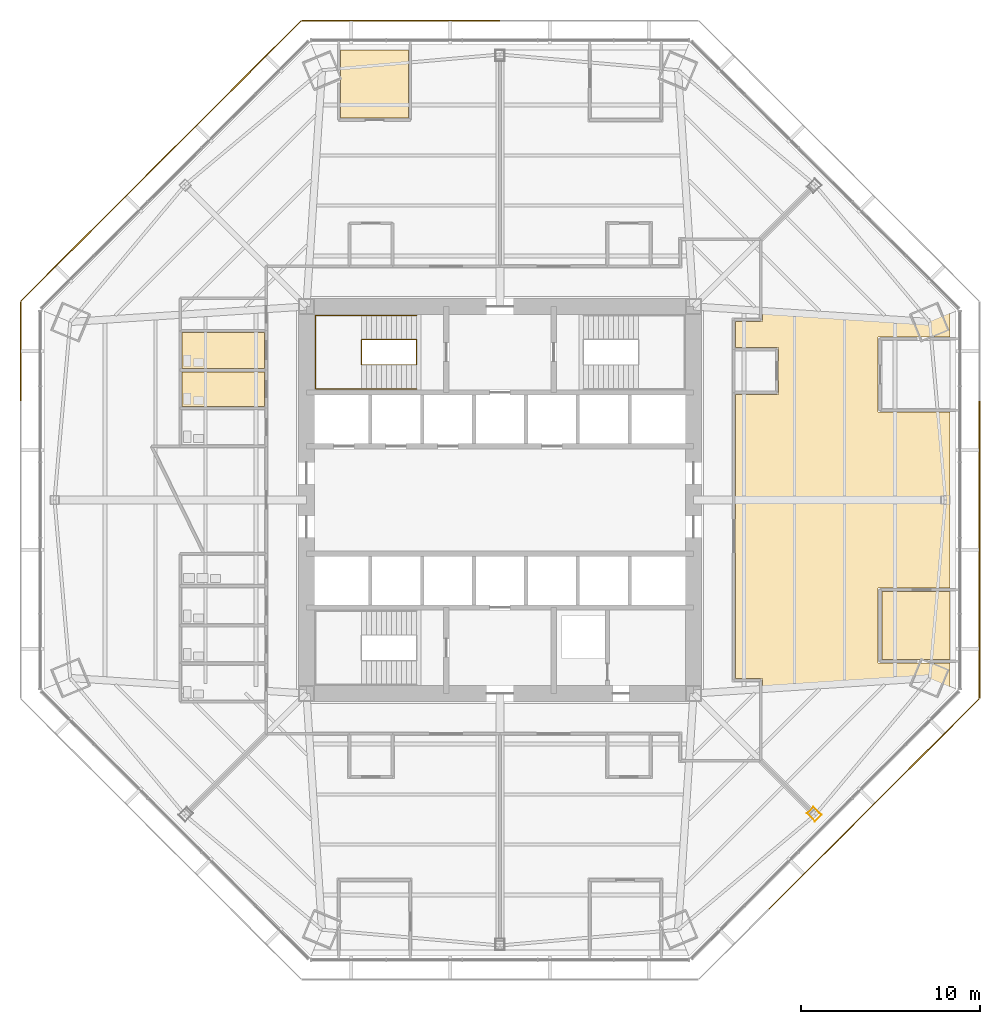
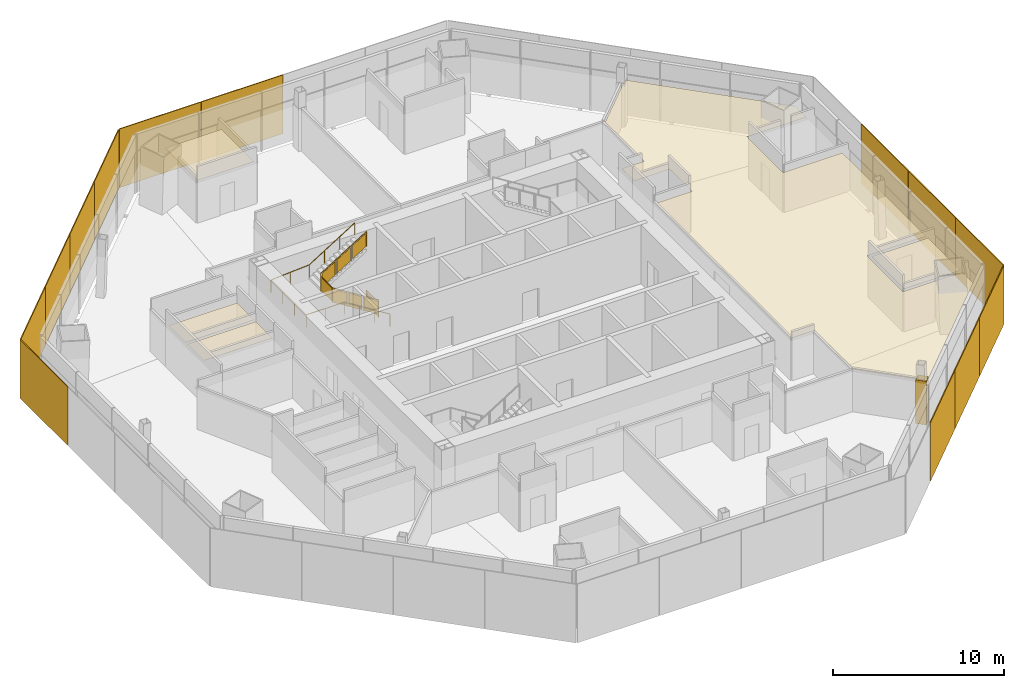
# One storey, part 16 of 18: 13 shading devices, 6 coverings, 2 railings.
"""IFC4 building model written with IfcOpenShell, lengths in metres."""

from ifc_helpers import new_model, si_unit, direction, frame, origin, origin_2d, place, context, subcontext, project, spatial, polyline, rectangle, circle, outline, extrude, source, transform, mapped, material, layer, layer_set, type_object, type_shapes, element, save


model = new_model("IFC4")

# Units and contexts
model_context = context("Model", 3, precision=1e-05, world=origin(), true_north=direction((0.0, 1.0)))
body_context = subcontext(model_context, "Body", "Model", "MODEL_VIEW")
ifc_project = project(units=[si_unit("LENGTHUNIT", "METRE"), si_unit("AREAUNIT", "SQUARE_METRE"), si_unit("VOLUMEUNIT", "CUBIC_METRE"), si_unit("PLANEANGLEUNIT", "RADIAN"), si_unit("MASSUNIT", "GRAM", prefix="KILO")], contexts=[model_context])

# Site, building, storey
site_placement = place(None, origin())
site = spatial("IfcSite", under=ifc_project, at=site_placement, CompositionType="ELEMENT")
building_placement = place(site_placement, origin())
building = spatial("IfcBuilding", under=site, at=building_placement, Name="Mashrafa Tower", CompositionType="ELEMENT")
storey_placement = place(building_placement, frame((0.0, 0.0, 83.39990234375)))
storey = spatial("IfcBuildingStorey", under=building, at=storey_placement, Name="L18", CompositionType="ELEMENT", Elevation=83.39990234375)

# Covering
ifc_material_1 = material(Name="Gypsum board")
ifc_layer_1 = layer(ifc_material_1, 0.014892578125)
ifc_layer_set_1 = layer_set([ifc_layer_1], Name="Column casing plasterboard 15")
covering_type_1 = type_object("IfcCoveringType", Name="Column casing plasterboard 15", PredefinedType="CLADDING", material=ifc_layer_set_1)
covering_1_placement = place(storey_placement, origin())
element("IfcCovering", 1, at=covering_1_placement, inside=storey, type_object=covering_type_1, Name="Column casing L18-005", PredefinedType="CLADDING", context=body_context, shape_type="SweptSolid", body=[
    extrude(outline(polyline([(17.11669921875, -17.491455078125), (17.491455078125, -17.11669921875), (17.9501953125, -17.575439453125), (17.575439453125, -17.9501953125), (17.11669921875, -17.491455078125)]), holes=[polyline([(17.92919921875, -17.575439453125), (17.491455078125, -17.1376953125), (17.1376953125, -17.491455078125), (17.575439453125, -17.92919921875), (17.92919921875, -17.575439453125)])]), origin(), (0.0, 0.0, 1.0), 3.11328125),
])

# Railings
ifc_material_2 = material(Name="Steel guard with glass infill", Category="steel")
railing_type_1 = type_object("IfcRailingType", Name="Stair guard 1100", PredefinedType="GUARDRAIL", material=ifc_material_2)
railing_1_placement = place(storey_placement, frame((-4.64990234375, 8.949951171875, 0.0)))
element("IfcRailing", 2, at=railing_1_placement, inside=storey, type_object=railing_type_1, Name="Stair S1 guard L18", PredefinedType="GUARDRAIL", context=body_context, shape_type="SweptSolid", body=[
    extrude(circle(Radius=0.02392578125, at=origin_2d()), frame((0.0, 0.0, 1.076171875), z_axis=(0.0, -1.0, 0.0), x_axis=(1.0, 0.0, 0.0)), (0.0, 0.0, 1.0), 1.39990234375),
    extrude(circle(Radius=0.02392578125, at=origin_2d()), frame((0.0, -1.39990234375, 1.076171875), z_axis=(0.0, 0.0, 1.0), x_axis=(1.0, 0.0, 0.0)), (0.0, 0.0, 1.0), 0.175048828125),
    extrude(circle(Radius=0.02392578125, at=origin_2d()), frame((0.0, -1.39990234375, 1.2509765625), z_axis=(-0.847998304005, 0.0, 0.529998940003), x_axis=(0.0, -1.0, 0.0)), (0.0, 0.0, 1.0), 3.632080078125),
    extrude(circle(Radius=0.02392578125, at=origin_2d()), frame((-3.080078125, -1.39990234375, 3.17626953125), z_axis=(0.0, 1.0, 0.0), x_axis=(-1.0, 0.0, 0.0)), (0.0, 0.0, 1.0), 1.39990234375),
    extrude(circle(Radius=0.02392578125, at=origin_2d()), frame((-3.080078125, 0.0, 3.17626953125), z_axis=(0.0, 0.0, 1.0), x_axis=(1.0, 0.0, 0.0)), (0.0, 0.0, 1.0), 0.175048828125),
    extrude(circle(Radius=0.02392578125, at=origin_2d()), frame((-3.080078125, 0.0, 3.35107421875), z_axis=(0.847998304005, 0.0, 0.529998940003), x_axis=(0.0, 1.0, 0.0)), (0.0, 0.0, 1.0), 3.632080078125),
    extrude(circle(Radius=0.02099609375, at=origin_2d()), origin(), (0.0, 0.0, 1.0), 1.052001953125),
    extrude(circle(Radius=0.02099609375, at=origin_2d()), frame((0.0, -1.39990234375, 0.0)), (0.0, 0.0, 1.0), 1.052001953125),
    extrude(circle(Radius=0.02099609375, at=origin_2d()), frame((0.0, -1.39990234375, 0.175048828125)), (0.0, 0.0, 1.0), 1.052001953125),
    extrude(circle(Radius=0.02099609375, at=origin_2d()), frame((-1.026611328125, -1.39990234375, 0.816650390625)), (0.0, 0.0, 1.0), 1.052001953125),
    extrude(circle(Radius=0.02099609375, at=origin_2d()), frame((-2.053466796875, -1.39990234375, 1.45849609375)), (0.0, 0.0, 1.0), 1.052001953125),
    extrude(circle(Radius=0.02099609375, at=origin_2d()), frame((-3.080078125, -1.39990234375, 2.10009765625)), (0.0, 0.0, 1.0), 1.052001953125),
    extrude(circle(Radius=0.02099609375, at=origin_2d()), frame((-3.080078125, 0.0, 2.10009765625)), (0.0, 0.0, 1.0), 1.052001953125),
    extrude(circle(Radius=0.02099609375, at=origin_2d()), frame((-3.080078125, 0.0, 2.275146484375)), (0.0, 0.0, 1.0), 1.052001953125),
    extrude(circle(Radius=0.02099609375, at=origin_2d()), frame((-2.053466796875, 0.0, 2.916748046875)), (0.0, 0.0, 1.0), 1.052001953125),
    extrude(circle(Radius=0.02099609375, at=origin_2d()), frame((-1.026611328125, 0.0, 3.55859375)), (0.0, 0.0, 1.0), 1.052001953125),
    extrude(circle(Radius=0.02099609375, at=origin_2d()), frame((0.0, 0.0, 4.2001953125)), (0.0, 0.0, 1.0), 1.052001953125),
    extrude(outline(polyline([(0.071044921875, 0.050048828125), (1.328857421875, 0.050048828125), (1.328857421875, 1.001953125), (0.071044921875, 1.001953125), (0.071044921875, 0.050048828125)])), frame((-0.006103515625, 0.0, 0.0), z_axis=(-1.0, 0.0, 0.0), x_axis=(0.0, -1.0, 0.0)), (0.0, 0.0, 1.0), 0.011962890625),
    extrude(outline(polyline([(0.071044921875, 0.094482421875), (0.955810546875, 0.647216796875), (0.955810546875, 1.599365234375), (0.071044921875, 1.04638671875), (0.071044921875, 0.094482421875)])), frame((0.0, -1.393798828125, 0.175048828125), z_axis=(0.0, 1.0, 0.0), x_axis=(-1.0, 0.0, 0.0)), (0.0, 0.0, 1.0), 0.011962890625),
    extrude(outline(polyline([(1.09765625, 0.736083984375), (1.982421875, 1.2890625), (1.982421875, 2.240966796875), (1.09765625, 1.68798828125), (1.09765625, 0.736083984375)])), frame((0.0, -1.393798828125, 0.175048828125), z_axis=(0.0, 1.0, 0.0), x_axis=(-1.0, 0.0, 0.0)), (0.0, 0.0, 1.0), 0.011962890625),
    extrude(outline(polyline([(2.124267578125, 1.377685546875), (3.009033203125, 1.9306640625), (3.009033203125, 2.882568359375), (2.124267578125, 2.329833984375), (2.124267578125, 1.377685546875)])), frame((0.0, -1.393798828125, 0.175048828125), z_axis=(0.0, 1.0, 0.0), x_axis=(-1.0, 0.0, 0.0)), (0.0, 0.0, 1.0), 0.011962890625),
    extrude(outline(polyline([(0.071044921875, 0.050048828125), (1.328857421875, 0.050048828125), (1.328857421875, 1.001953125), (0.071044921875, 1.001953125), (0.071044921875, 0.050048828125)])), frame((-3.073974609375, -1.39990234375, 2.10009765625), z_axis=(1.0, 0.0, 0.0), x_axis=(0.0, 1.0, 0.0)), (0.0, 0.0, 1.0), 0.011962890625),
    extrude(outline(polyline([(0.071044921875, 0.094482421875), (0.955810546875, 0.647216796875), (0.955810546875, 1.599365234375), (0.071044921875, 1.04638671875), (0.071044921875, 0.094482421875)])), frame((-3.080078125, -0.006103515625, 2.275146484375), z_axis=(0.0, -1.0, 0.0), x_axis=(1.0, 0.0, 0.0)), (0.0, 0.0, 1.0), 0.011962890625),
    extrude(outline(polyline([(1.09765625, 0.736083984375), (1.982421875, 1.2890625), (1.982421875, 2.240966796875), (1.09765625, 1.68798828125), (1.09765625, 0.736083984375)])), frame((-3.080078125, -0.006103515625, 2.275146484375), z_axis=(0.0, -1.0, 0.0), x_axis=(1.0, 0.0, 0.0)), (0.0, 0.0, 1.0), 0.011962890625),
    extrude(outline(polyline([(2.124267578125, 1.377685546875), (3.009033203125, 1.9306640625), (3.009033203125, 2.882568359375), (2.124267578125, 2.329833984375), (2.124267578125, 1.377685546875)])), frame((-3.080078125, -0.006103515625, 2.275146484375), z_axis=(0.0, -1.0, 0.0), x_axis=(1.0, 0.0, 0.0)), (0.0, 0.0, 1.0), 0.011962890625),
])
ifc_material_3 = material(Name="Steel", Category="steel")
railing_type_2 = type_object("IfcRailingType", Name="Stair handrail 900", PredefinedType="HANDRAIL", material=ifc_material_3)
railing_2_placement = place(storey_placement, frame((-4.64990234375, 6.199951171875, 0.175048828125)))
element("IfcRailing", 3, at=railing_2_placement, inside=storey, type_object=railing_type_2, Name="Stair S1 handrail L18", PredefinedType="HANDRAIL", context=body_context, shape_type="SweptSolid", body=[
    extrude(circle(Radius=0.02392578125, at=origin_2d()), frame((0.0, 0.0, 0.8759765625), z_axis=(-0.847998304005, 0.0, 0.529998940003), x_axis=(0.0, -1.0, 0.0)), (0.0, 0.0, 1.0), 3.632080078125),
    extrude(circle(Radius=0.02392578125, at=origin_2d()), frame((-3.080078125, 0.0, 2.80078125), z_axis=(-1.0, 0.0, 0.0), x_axis=(0.0, -1.0, 0.0)), (0.0, 0.0, 1.0), 2.570068359375),
    extrude(circle(Radius=0.02392578125, at=origin_2d()), frame((-5.650146484375, 0.0, 2.80078125), z_axis=(0.0, 1.0, 0.0), x_axis=(-1.0, 0.0, 0.0)), (0.0, 0.0, 1.0), 4.10009765625),
    extrude(circle(Radius=0.02392578125, at=origin_2d()), frame((-5.650146484375, 4.10009765625, 2.80078125), z_axis=(0.997688514158, 0.0, 0.067953136188), x_axis=(0.0, 1.0, 0.0)), (0.0, 0.0, 1.0), 2.575927734375),
    extrude(circle(Radius=0.02392578125, at=origin_2d()), frame((-3.080078125, 4.10009765625, 2.97607421875), z_axis=(0.847998304005, 0.0, 0.529998940003), x_axis=(0.0, 1.0, 0.0)), (0.0, 0.0, 1.0), 3.632080078125),
    extrude(circle(Radius=0.02099609375, at=origin_2d()), origin(), (0.0, 0.0, 1.0), 0.851806640625),
    extrude(circle(Radius=0.02099609375, at=origin_2d()), frame((-1.026611328125, 0.0, 0.6416015625)), (0.0, 0.0, 1.0), 0.851806640625),
    extrude(circle(Radius=0.02099609375, at=origin_2d()), frame((-2.053466796875, 0.0, 1.283447265625)), (0.0, 0.0, 1.0), 0.851806640625),
    extrude(circle(Radius=0.02099609375, at=origin_2d()), frame((-3.080078125, 0.0, 1.925048828125)), (0.0, 0.0, 1.0), 0.851806640625),
    extrude(circle(Radius=0.02099609375, at=origin_2d()), frame((-4.365234375, 0.0, 1.925048828125)), (0.0, 0.0, 1.0), 0.851806640625),
    extrude(circle(Radius=0.02099609375, at=origin_2d()), frame((-5.650146484375, 0.0, 1.925048828125)), (0.0, 0.0, 1.0), 0.851806640625),
    extrude(circle(Radius=0.02099609375, at=origin_2d()), frame((-5.650146484375, 1.36669921875, 1.925048828125)), (0.0, 0.0, 1.0), 0.851806640625),
    extrude(circle(Radius=0.02099609375, at=origin_2d()), frame((-5.650146484375, 2.7333984375, 1.925048828125)), (0.0, 0.0, 1.0), 0.851806640625),
    extrude(circle(Radius=0.02099609375, at=origin_2d()), frame((-5.650146484375, 4.10009765625, 1.925048828125)), (0.0, 0.0, 1.0), 0.851806640625),
    extrude(circle(Radius=0.02099609375, at=origin_2d()), frame((-4.365234375, 4.10009765625, 2.0126953125)), (0.0, 0.0, 1.0), 0.851806640625),
    extrude(circle(Radius=0.02099609375, at=origin_2d()), frame((-3.080078125, 4.10009765625, 2.10009765625)), (0.0, 0.0, 1.0), 0.851806640625),
    extrude(circle(Radius=0.02099609375, at=origin_2d()), frame((-2.053466796875, 4.10009765625, 2.74169921875)), (0.0, 0.0, 1.0), 0.851806640625),
    extrude(circle(Radius=0.02099609375, at=origin_2d()), frame((-1.026611328125, 4.10009765625, 3.383544921875)), (0.0, 0.0, 1.0), 0.851806640625),
    extrude(circle(Radius=0.02099609375, at=origin_2d()), frame((0.0, 4.10009765625, 4.025146484375)), (0.0, 0.0, 1.0), 0.851806640625),
])

# Coverings
ifc_material_4 = material(Name="Mineral fibre tile on suspension grid")
ifc_layer_2 = layer(ifc_material_4, 0.014892578125)
ifc_layer_set_2 = layer_set([ifc_layer_2], Name="Suspended ceiling mineral tile 15")
covering_type_2 = type_object("IfcCoveringType", Name="Suspended ceiling mineral tile 15", PredefinedType="CEILING", material=ifc_layer_set_2)
covering_2_placement = place(storey_placement, frame((0.0, 0.0, 2.900146484375)))
element("IfcCovering", 4, at=covering_2_placement, inside=storey, type_object=covering_type_2, Name="Ceiling WC Male L18 N", PredefinedType="CEILING", context=body_context, shape_type="SweptSolid", body=[
    extrude(outline(polyline([(-17.75, 5.22509765625), (-17.75, 7.14990234375), (-13.14990234375, 7.14990234375), (-13.14990234375, 5.22509765625), (-17.75, 5.22509765625)])), origin(), (0.0, 0.0, 1.0), 0.014892578125),
])
covering_3_placement = place(storey_placement, frame((0.0, 0.0, 2.900146484375)))
element("IfcCovering", 5, at=covering_3_placement, inside=storey, type_object=covering_type_2, Name="Ceiling Accessible WC L18 N", PredefinedType="CEILING", context=body_context, shape_type="SweptSolid", body=[
    extrude(outline(polyline([(-17.75, 7.35009765625), (-17.75, 9.35009765625), (-13.14990234375, 9.35009765625), (-13.14990234375, 7.35009765625), (-17.75, 7.35009765625)])), origin(), (0.0, 0.0, 1.0), 0.014892578125),
])
covering_4_placement = place(storey_placement, frame((0.0, 0.0, 2.900146484375)))
element("IfcCovering", 6, at=covering_4_placement, inside=storey, type_object=covering_type_2, Name="Ceiling Manager's Office 18-NW", PredefinedType="CEILING", context=body_context, shape_type="SweptSolid", body=[
    extrude(outline(polyline([(-8.89990234375, 25.10546875), (-5.10009765625, 25.10546875), (-5.10009765625, 21.305419921875), (-8.89990234375, 21.305419921875), (-8.89990234375, 25.10546875)])), origin(), (0.0, 0.0, 1.0), 0.014892578125),
])
covering_5_placement = place(storey_placement, frame((0.0, 0.0, 2.900146484375)))
element("IfcCovering", 7, at=covering_5_placement, inside=storey, type_object=covering_type_2, Name="Ceiling Manager's Office 18-E", PredefinedType="CEILING", context=body_context, shape_type="SweptSolid", body=[
    extrude(outline(polyline([(21.305419921875, -5.10009765625), (25.10546875, -5.10009765625), (25.10546875, -8.89990234375), (21.305419921875, -8.89990234375), (21.305419921875, -5.10009765625)])), origin(), (0.0, 0.0, 1.0), 0.014892578125),
])
covering_6_placement = place(storey_placement, frame((0.0, 0.0, 2.900146484375)))
element("IfcCovering", 8, at=covering_6_placement, inside=storey, type_object=covering_type_2, Name="Ceiling Office Suite 18-E", PredefinedType="CEILING", context=body_context, shape_type="SweptSolid", body=[
    extrude(outline(polyline([(14.64990234375, 14.508544921875), (17.822998046875, 17.681396484375), (25.10546875, 10.39892578125), (25.10546875, 9.10009765625), (21.10546875, 9.10009765625), (21.10546875, 4.89990234375), (25.10546875, 4.89990234375), (25.10546875, -4.89990234375), (21.10546875, -4.89990234375), (21.10546875, -9.10009765625), (25.10546875, -9.10009765625), (25.10546875, -10.39892578125), (17.822998046875, -17.681396484375), (14.64990234375, -14.508544921875), (14.64990234375, -9.949951171875), (13.14990234375, -9.949951171875), (13.14990234375, 5.89990234375), (15.550048828125, 5.89990234375), (15.550048828125, 8.5), (13.14990234375, 8.5), (13.14990234375, 9.949951171875), (14.64990234375, 9.949951171875), (14.64990234375, 14.508544921875)])), origin(), (0.0, 0.0, 1.0), 0.014892578125),
])

# Shading devices
ifc_material_5 = material(Name="Perforated aluminium plate, eight-point star pattern", Category="aluminium")
ifc_layer_3 = layer(ifc_material_5, 0.06005859375)
ifc_layer_set_3 = layer_set([ifc_layer_3], Name="Mashrabiya screen panel office zone 1, 45 percent open")
shading_device_type = type_object("IfcShadingDeviceType", Name="Mashrabiya screen panel office zone 1, 45 percent open", PredefinedType="SHUTTER", material=ifc_layer_set_3)
shared_shape = source(origin(), body_context, "Body", "SweptSolid", [
    extrude(rectangle(XDim=5.510009765625, YDim=0.06005859375, at=origin_2d()), origin(), (0.0, 0.0, 1.0), 4.179931640625),
])
type_shapes(shading_device_type, [shared_shape])
for number, where, z_axis, x_axis, name in (
    (9, (26.75537109375, -8.294921875, -0.14990234375), (0.0, 0.0, 1.0), (0.0, 1.0, 0.0), "Mashrabiya screen L18 east 1"),
    (10, (26.75537109375, -2.764892578125, -0.14990234375), (0.0, 0.0, 1.0), (0.0, 1.0, 0.0), "Mashrabiya screen L18 east 2"),
    (11, (26.75537109375, 2.764892578125, -0.14990234375), (0.0, 0.0, 1.0), (0.0, 1.0, 0.0), "Mashrabiya screen L18 east 3"),
    (12, (-2.764892578125, 26.75537109375, -0.14990234375), (0.0, 0.0, 1.0), (-1.0, 0.0, 0.0), "Mashrabiya screen L18 north 3"),
    (13, (-8.294921875, 26.75537109375, -0.14990234375), (0.0, 0.0, 1.0), (-1.0, 0.0, 0.0), "Mashrabiya screen L18 north 4"),
    (14, (-13.053466796875, 24.784423828125, -0.14990234375), (0.0, 0.0, 1.0), (-0.707106781187, -0.707106781187, 0.0), "Mashrabiya screen L18 north-west 1"),
    (15, (-16.9638671875, 20.8740234375, -0.14990234375), (0.0, 0.0, 1.0), (-0.707106781187, -0.707106781187, 0.0), "Mashrabiya screen L18 north-west 2"),
    (16, (-20.8740234375, 16.9638671875, -0.14990234375), (0.0, 0.0, 1.0), (-0.707106781187, -0.707106781187, 0.0), "Mashrabiya screen L18 north-west 3"),
    (17, (-24.784423828125, 13.053466796875, -0.14990234375), (0.0, 0.0, 1.0), (-0.707106781187, -0.707106781187, 0.0), "Mashrabiya screen L18 north-west 4"),
    (18, (-26.75537109375, 8.294921875, -0.14990234375), (0.0, 0.0, 1.0), (0.0, -1.0, 0.0), "Mashrabiya screen L18 west 1"),
    (19, (16.9638671875, -20.8740234375, -0.14990234375), (0.0, 0.0, 1.0), (0.707106781187, 0.707106781187, 0.0), "Mashrabiya screen L18 south-east 2"),
    (20, (20.8740234375, -16.9638671875, -0.14990234375), (0.0, 0.0, 1.0), (0.707106781187, 0.707106781187, 0.0), "Mashrabiya screen L18 south-east 3"),
    (21, (24.784423828125, -13.053466796875, -0.14990234375), (0.0, 0.0, 1.0), (0.707106781187, 0.707106781187, 0.0), "Mashrabiya screen L18 south-east 4"),
):
    element("IfcShadingDevice", number, at=place(storey_placement, frame(where, z_axis=z_axis, x_axis=x_axis)), inside=storey, type_object=shading_device_type, Name=name, PredefinedType="SHUTTER", context=body_context, shape_type="MappedRepresentation", body=[
        mapped(shared_shape, transform((0.0, 0.0, 0.0))),
    ])

save(model, "model.ifc")
